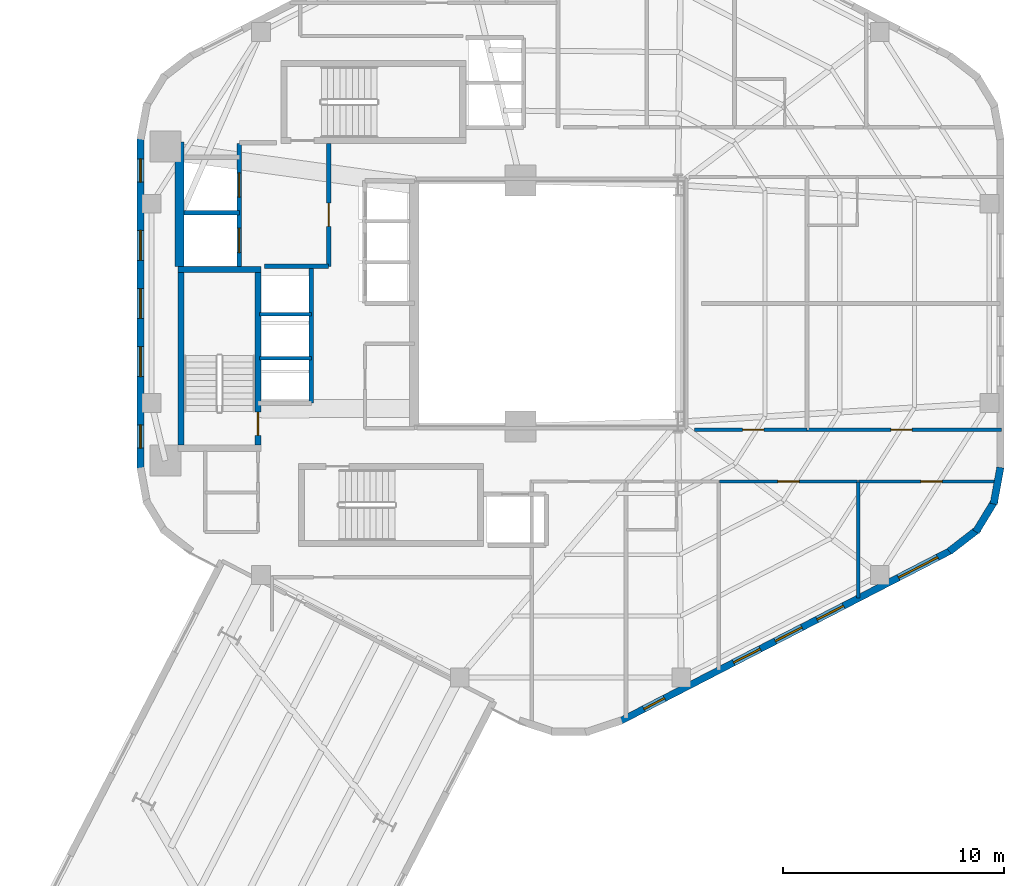
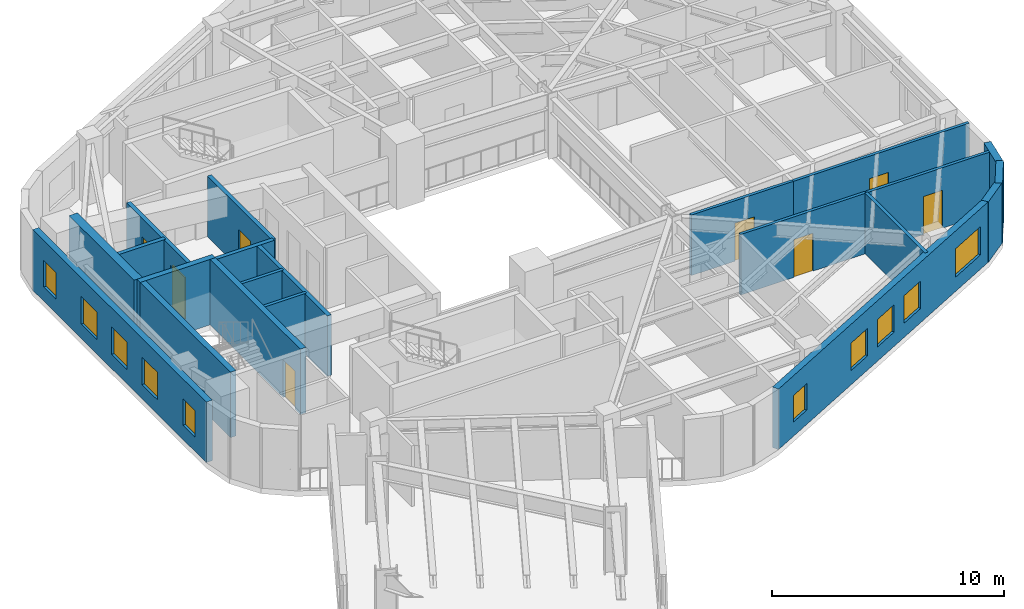
# One storey, part 6 of 10: 21 walls, 10 windows, 8 doors, 18 openings.
"""IFC4 building model written with IfcOpenShell, lengths in metres."""

import ifcopenshell
import ifcopenshell.guid

model = None  # the IFC model being written
_history = None  # IfcOwnerHistory: only IFC2X3 demands one
_inside = {}  # id of a spatial element -> (the spatial element, [elements in it])
_under = {}  # id of a project, library or spatial element -> (it, [spatial elements below it])
_declared = {}  # id of a project -> (the project, [libraries it declares])
_typed = {}  # id of a type object -> (the type object, [elements of that type])
_made_of = {}  # id of a material, layer set ... -> (it, [elements and type objects made of it])


def new_model(schema):
    """Start an empty IFC model of exactly this schema.

    Asked for "IFC4X3", IfcOpenShell would pick the latest addendum, in which some entities
    have other attributes; the version numbers below select the first issue.
    IFC2X3 requires an IfcOwnerHistory on every rooted entity: one is made here for all.
    """
    global model, _history
    if schema == "IFC4X3":
        model = ifcopenshell.file(schema_version=(4, 3, 0, 0))
    else:
        model = ifcopenshell.file(schema=schema)
    _inside.clear()
    _under.clear()
    _declared.clear()
    _typed.clear()
    _made_of.clear()
    _history = None
    if model.schema == "IFC2X3":
        org = make("IfcOrganization", Name="unknown")
        user = make(
            "IfcPersonAndOrganization",
            ThePerson=make("IfcPerson", FamilyName="unknown"),
            TheOrganization=org,
        )
        app = make(
            "IfcApplication",
            ApplicationDeveloper=org,
            Version="unknown",
            ApplicationFullName="unknown",
            ApplicationIdentifier="unknown",
        )
        _history = make(
            "IfcOwnerHistory",
            OwningUser=user,
            OwningApplication=app,
            ChangeAction="ADDED",
            CreationDate=0,
        )
    return model


def make(cls, **values):
    """One entity of the class cls with the attributes given. An attribute that is None is left unset."""
    return model.create_entity(
        cls, **{name: value for name, value in values.items() if value is not None}
    )


def rooted(cls, **values):
    """An entity with a GlobalId (a new one), such as an element, a storey or a relation."""
    return make(cls, GlobalId=ifcopenshell.guid.new(), OwnerHistory=_history, **values)


def si_unit(unit_type, name, prefix=None):
    """IfcSIUnit, for example si_unit("LENGTHUNIT", "METRE", prefix="MILLI")."""
    return make("IfcSIUnit", UnitType=unit_type, Prefix=prefix, Name=name)


def assignment(units):
    """IfcUnitAssignment: the units of a project."""
    return None if units is None else make("IfcUnitAssignment", Units=units)


def point(xyz):
    """IfcCartesianPoint."""
    return None if xyz is None else make("IfcCartesianPoint", Coordinates=xyz)


def direction(xyz):
    """IfcDirection."""
    return None if xyz is None else make("IfcDirection", DirectionRatios=xyz)


def frame(location, z_axis=None, x_axis=None):
    """IfcAxis2Placement3D, a coordinate frame: its origin and axes. An axis left out is left unset."""
    return make(
        "IfcAxis2Placement3D",
        Location=point(location),
        Axis=direction(z_axis),
        RefDirection=direction(x_axis),
    )


def frame_2d(location, x_axis=None):
    """IfcAxis2Placement2D, a coordinate frame in the plane: its origin and x axis."""
    return make(
        "IfcAxis2Placement2D", Location=point(location), RefDirection=direction(x_axis)
    )


def origin():
    """The frame at (0, 0, 0) with its axes left unset."""
    return frame((0.0, 0.0, 0.0))


def place(relative_to, where):
    """IfcLocalPlacement: puts the frame where relative to a parent placement (None: the world)."""
    return make(
        "IfcLocalPlacement", PlacementRelTo=relative_to, RelativePlacement=where
    )


def context(
    kind, dimensions, precision=None, world=None, true_north=None, identifier=None
):
    """IfcGeometricRepresentationContext, for example the 3D "Model" context."""
    return make(
        "IfcGeometricRepresentationContext",
        ContextIdentifier=identifier,
        ContextType=kind,
        CoordinateSpaceDimension=dimensions,
        Precision=precision,
        WorldCoordinateSystem=world,
        TrueNorth=true_north,
    )


def subcontext(parent, identifier, kind, view, scale=None):
    """IfcGeometricRepresentationSubContext, for example "Body" below "Model"."""
    return make(
        "IfcGeometricRepresentationSubContext",
        ContextIdentifier=identifier,
        ContextType=kind,
        ParentContext=parent,
        TargetScale=scale,
        TargetView=view,
    )


def project(units=None, contexts=None):
    """IfcProject with its units and contexts."""
    return rooted(
        "IfcProject",
        Name="project",
        RepresentationContexts=contexts,
        UnitsInContext=assignment(units),
    )


def spatial(cls, under=None, at=None, **own):
    """A site, building, storey or space (cls), placed at a placement, below another one or the project."""
    s = rooted(cls, ObjectPlacement=at, **own)
    if under is not None:
        _under.setdefault(under.id(), (under, []))[1].append(s)
    return s


def profile(cls, at=None, kind="AREA", **sizes):
    """A parametric profile (cls). Its sizes go by their IFC names, for example OverallWidth=200.0."""
    return make(cls, ProfileType=kind, Position=at, **sizes)


def rectangle(**sizes):
    """IfcRectangleProfileDef."""
    return profile("IfcRectangleProfileDef", **sizes)


def extrude(swept, where, along, depth):
    """IfcExtrudedAreaSolid: the profile swept, set in the frame where, extruded along a direction by depth."""
    return make(
        "IfcExtrudedAreaSolid",
        SweptArea=swept,
        Position=where,
        ExtrudedDirection=direction(along),
        Depth=depth,
    )


def shape(context_of_items, identifier, shape_type, items):
    """IfcShapeRepresentation: the items that make up one representation, for example the "Body"."""
    return make(
        "IfcShapeRepresentation",
        ContextOfItems=context_of_items,
        RepresentationIdentifier=identifier,
        RepresentationType=shape_type,
        Items=items,
    )


def material(Name=None, Category=None):
    """IfcMaterial."""
    return make("IfcMaterial", Name=Name, Category=Category)


def layer(
    of_material, thickness, ventilated=None, Name=None, Category=None, Priority=None
):
    """IfcMaterialLayer: one layer of a wall or slab, of a material (None: an air gap)."""
    return make(
        "IfcMaterialLayer",
        Material=of_material,
        LayerThickness=thickness,
        IsVentilated=ventilated,
        Name=Name,
        Category=Category,
        Priority=Priority,
    )


def layer_set(layers, Name=None):
    """IfcMaterialLayerSet."""
    return make("IfcMaterialLayerSet", MaterialLayers=layers, LayerSetName=Name)


def made_of(thing, what):
    """Note that an element or type object is made of a material, layer set ...; save() writes the relation."""
    if what is not None:
        _made_of.setdefault(what.id(), (what, []))[1].append(thing)
    return thing


def type_object(cls, material=None, **own):
    """A type object (cls), such as IfcWallType, which elements share."""
    return made_of(rooted(cls, **own), material)


def element(
    cls,
    number,
    at=None,
    inside=None,
    cuts=None,
    type_object=None,
    material=None,
    context=None,
    identifier="Body",
    shape_type=None,
    held_by="IfcProductDefinitionShape",
    body=None,
    shapes=None,
    **own,
):
    """One element of the class cls, such as IfcWall. Its Tag is "e" and its number.

    at: its placement. inside: the storey or other place that contains it. cuts: it is an
    opening in that element (IfcRelVoidsElement). A single representation is given by context,
    identifier, shape_type and body (its items); several are given by shapes. held_by: the class
    of the entity that holds the representations. save() writes the other relations.
    """
    e = rooted(cls, Tag="e%d" % number, ObjectPlacement=at, **own)
    if body is not None:
        shapes = [shape(context, identifier, shape_type, body)]
    if shapes is not None:
        e.Representation = make(held_by, Representations=shapes)
    if inside is not None:
        _inside.setdefault(inside.id(), (inside, []))[1].append(e)
    if cuts is not None:
        rooted(
            "IfcRelVoidsElement", RelatingBuildingElement=cuts, RelatedOpeningElement=e
        )
    if type_object is not None:
        _typed.setdefault(type_object.id(), (type_object, []))[1].append(e)
    return made_of(e, material)


def fill(opening, filler):
    """IfcRelFillsElement: the door or window that sits in an opening."""
    return rooted(
        "IfcRelFillsElement",
        RelatingOpeningElement=opening,
        RelatedBuildingElement=filler,
    )


def aggregate(whole, parts):
    """IfcRelAggregates: a whole, such as a stair, and the parts it consists of."""
    return rooted("IfcRelAggregates", RelatingObject=whole, RelatedObjects=parts)


def save(model, path):
    """Write the relations noted so far, then the file.

    IfcRelAggregates (storeys below a building ...), IfcRelContainedInSpatialStructure (elements
    in a storey), IfcRelDefinesByType, IfcRelAssociatesMaterial and IfcRelDeclares: one each for
    every whole, place, type object, material and project.
    """
    for whole, parts in _under.values():
        aggregate(whole, parts)
    for where, things in _inside.values():
        rooted(
            "IfcRelContainedInSpatialStructure",
            RelatedElements=things,
            RelatingStructure=where,
        )
    for kind, things in _typed.values():
        rooted("IfcRelDefinesByType", RelatedObjects=things, RelatingType=kind)
    for what, things in _made_of.values():
        rooted("IfcRelAssociatesMaterial", RelatedObjects=things, RelatingMaterial=what)
    for by, libraries in _declared.values():
        rooted("IfcRelDeclares", RelatingContext=by, RelatedDefinitions=libraries)
    model.write(path)


model = new_model("IFC4")

# Units and contexts
model_context = context("Model", 3, precision=1e-05, world=origin(), true_north=direction((0.0, 1.0)))
body_context = subcontext(model_context, "Body", "Model", "MODEL_VIEW")
ifc_project = project(units=[si_unit("LENGTHUNIT", "METRE"), si_unit("AREAUNIT", "SQUARE_METRE"), si_unit("VOLUMEUNIT", "CUBIC_METRE"), si_unit("PLANEANGLEUNIT", "RADIAN"), si_unit("MASSUNIT", "GRAM", prefix="KILO"), si_unit("THERMODYNAMICTEMPERATUREUNIT", "KELVIN"), si_unit("POWERUNIT", "WATT")], contexts=[model_context])

# Site, building, storey
site_placement = place(None, origin())
site = spatial("IfcSite", under=ifc_project, at=site_placement, CompositionType="ELEMENT")
building_placement = place(site_placement, origin())
building = spatial("IfcBuilding", under=site, at=building_placement, Name="Skarre Station Tower", CompositionType="ELEMENT")
storey_placement = place(building_placement, frame((0.0, 0.0, 180.89990234375)))
storey = spatial("IfcBuildingStorey", under=building, at=storey_placement, Name="L49", CompositionType="ELEMENT", Elevation=180.89990234375)

# Wall, opening, door
ifc_material_1 = material(Name="Acoustic Steel-Stud Gypsum Partition", Category="steel")
ifc_layer_1 = layer(ifc_material_1, 0.14990234375, Name="Acoustic Steel-Stud Gypsum Partition")
ifc_layer_set_1 = layer_set([ifc_layer_1], Name="Acoustic Steel-Stud Gypsum Partition")
wall_type_1 = type_object("IfcWallType", Name="Fire-Rated Corridor Acoustic Partition 150", PredefinedType="PARTITIONING", material=ifc_layer_set_1)
wall_1_placement = place(storey_placement, frame((45.281005859375, 18.2900390625, 0.0), z_axis=(0.0, 0.0, 1.0), x_axis=(-1.0, 0.0, 0.0)))
wall_1 = element("IfcWall", 1, at=wall_1_placement, inside=storey, type_object=wall_type_1, Name="L49 Interior Partition WL-PT-L49-EWS1-CW", PredefinedType="PARTITIONING", context=body_context, shape_type="SweptSolid", body=[
    extrude(rectangle(XDim=5.0810546875, YDim=0.14990234375, at=frame_2d((2.54052734375, 0.0))), origin(), (0.0, 0.0, 1.0), 3.190185546875),
])
opening_1_placement = place(wall_1_placement, frame((1.93994140625, 0.0, 0.0)))
opening_1 = element("IfcOpeningElement", 2, at=opening_1_placement, cuts=wall_1, Name="Opening DR-FD60", PredefinedType="OPENING", context=body_context, shape_type="SweptSolid", body=[
    extrude(rectangle(XDim=0.9599609375, YDim=2.0, at=frame_2d((0.47998046875, 1.0))), frame((0.0, 0.0849609375, 0.0), z_axis=(0.0, -1.0, 0.0), x_axis=(1.0, 0.0, 0.0)), (0.0, 0.0, 1.0), 0.169921875),
])
ifc_material_2 = material(Name="Nordic White-Oak Veneer Solid-Core Fire Leaf", Category="wood")
door_type_1 = type_object("IfcDoorType", Name="Corridor Suite Entry Fire Door FD60 960x2150", OperationType="SINGLE_SWING_LEFT", PredefinedType="DOOR", material=ifc_material_2)
door_1_placement = place(opening_1_placement, origin())
door_1 = element("IfcDoor", 3, at=door_1_placement, inside=storey, type_object=door_type_1, Name="L49 EWS1 Entry Door", OperationType="SINGLE_SWING_LEFT", OverallHeight=2.0, OverallWidth=0.9599609375, PredefinedType="DOOR", context=body_context, shape_type="SweptSolid", body=[
    extrude(rectangle(XDim=0.9599609375, YDim=2.0, at=frame_2d((0.47998046875, 1.0))), frame((0.0, 0.02490234375, 0.0), z_axis=(0.0, -1.0, 0.0), x_axis=(1.0, 0.0, 0.0)), (0.0, 0.0, 1.0), 0.050048828125),
])
fill(opening_1, door_1)

wall_2_placement = place(storey_placement, frame((54.06201171875, 18.2900390625, 0.0), z_axis=(0.0, 0.0, 1.0), x_axis=(-1.0, 0.0, 0.0)))
wall_2 = element("IfcWall", 4, at=wall_2_placement, inside=storey, type_object=wall_type_1, Name="L49 Interior Partition WL-PT-L49-EWS2-CW", PredefinedType="PARTITIONING", context=body_context, shape_type="SweptSolid", body=[
    extrude(rectangle(XDim=8.77099609375, YDim=0.14990234375, at=frame_2d((4.385498046875, 0.0))), origin(), (0.0, 0.0, 1.0), 3.190185546875),
])
opening_2_placement = place(wall_2_placement, frame((4.02490234375, 0.0, 0.0)))
opening_2 = element("IfcOpeningElement", 5, at=opening_2_placement, cuts=wall_2, Name="Opening DR-FD60", PredefinedType="OPENING", context=body_context, shape_type="SweptSolid", body=[
    extrude(rectangle(XDim=0.9599609375, YDim=2.0, at=frame_2d((0.47998046875, 1.0))), frame((0.0, 0.0849609375, 0.0), z_axis=(0.0, -1.0, 0.0), x_axis=(1.0, 0.0, 0.0)), (0.0, 0.0, 1.0), 0.169921875),
])
door_2_placement = place(opening_2_placement, origin())
door_2 = element("IfcDoor", 6, at=door_2_placement, inside=storey, type_object=door_type_1, Name="L49 EWS2 Entry Door", OperationType="SINGLE_SWING_LEFT", OverallHeight=2.0, OverallWidth=0.9599609375, PredefinedType="DOOR", context=body_context, shape_type="SweptSolid", body=[
    extrude(rectangle(XDim=0.9599609375, YDim=2.0, at=frame_2d((0.47998046875, 1.0))), frame((0.0, 0.02490234375, 0.0), z_axis=(0.0, -1.0, 0.0), x_axis=(1.0, 0.0, 0.0)), (0.0, 0.0, 1.0), 0.050048828125),
])
fill(opening_2, door_2)

wall_3_placement = place(storey_placement, frame((41.322998046875, 15.9599609375, 0.0), z_axis=(0.0, 0.0, 1.0), x_axis=(1.0, 0.0, 0.0)))
wall_3 = element("IfcWall", 7, at=wall_3_placement, inside=storey, type_object=wall_type_1, Name="L49 Interior Partition WL-PT-L49-SW3-CW", PredefinedType="PARTITIONING", context=body_context, shape_type="SweptSolid", body=[
    extrude(rectangle(XDim=6.2529296875, YDim=0.14990234375, at=frame_2d((3.12646484375, 0.0))), origin(), (0.0, 0.0, 1.0), 3.190185546875),
])
opening_3_placement = place(wall_3_placement, frame((2.64697265625, 0.0, 0.0)))
opening_3 = element("IfcOpeningElement", 8, at=opening_3_placement, cuts=wall_3, Name="Opening DR-FD60", PredefinedType="OPENING", context=body_context, shape_type="SweptSolid", body=[
    extrude(rectangle(XDim=0.9599609375, YDim=2.0, at=frame_2d((0.47998046875, 1.0))), frame((0.0, 0.0849609375, 0.0), z_axis=(0.0, -1.0, 0.0), x_axis=(1.0, 0.0, 0.0)), (0.0, 0.0, 1.0), 0.169921875),
])
door_3_placement = place(opening_3_placement, origin())
door_3 = element("IfcDoor", 9, at=door_3_placement, inside=storey, type_object=door_type_1, Name="L49 SW3 Entry Door", OperationType="SINGLE_SWING_LEFT", OverallHeight=2.0, OverallWidth=0.9599609375, PredefinedType="DOOR", context=body_context, shape_type="SweptSolid", body=[
    extrude(rectangle(XDim=0.9599609375, YDim=2.0, at=frame_2d((0.47998046875, 1.0))), frame((0.0, 0.02490234375, 0.0), z_axis=(0.0, -1.0, 0.0), x_axis=(1.0, 0.0, 0.0)), (0.0, 0.0, 1.0), 0.050048828125),
])
fill(opening_3, door_3)

wall_4_placement = place(storey_placement, frame((47.612060546875, 15.9599609375, 0.0), z_axis=(0.0, 0.0, 1.0), x_axis=(1.0, 0.0, 0.0)))
wall_4 = element("IfcWall", 10, at=wall_4_placement, inside=storey, type_object=wall_type_1, Name="L49 Interior Partition WL-PT-L49-SW4-CW", PredefinedType="PARTITIONING", context=body_context, shape_type="SweptSolid", body=[
    extrude(rectangle(XDim=6.450927734375, YDim=0.14990234375, at=frame_2d((3.2255859375, 0.0))), origin(), (0.0, 0.0, 1.0), 3.190185546875),
])
opening_4_placement = place(wall_4_placement, frame((2.81396484375, 0.0, 0.0)))
opening_4 = element("IfcOpeningElement", 11, at=opening_4_placement, cuts=wall_4, Name="Opening DR-FD60", PredefinedType="OPENING", context=body_context, shape_type="SweptSolid", body=[
    extrude(rectangle(XDim=0.9599609375, YDim=2.0, at=frame_2d((0.47998046875, 1.0))), frame((0.0, 0.0849609375, 0.0), z_axis=(0.0, -1.0, 0.0), x_axis=(1.0, 0.0, 0.0)), (0.0, 0.0, 1.0), 0.169921875),
])
door_4_placement = place(opening_4_placement, origin())
door_4 = element("IfcDoor", 12, at=door_4_placement, inside=storey, type_object=door_type_1, Name="L49 SW4 Entry Door", OperationType="SINGLE_SWING_LEFT", OverallHeight=2.0, OverallWidth=0.9599609375, PredefinedType="DOOR", context=body_context, shape_type="SweptSolid", body=[
    extrude(rectangle(XDim=0.9599609375, YDim=2.0, at=frame_2d((0.47998046875, 1.0))), frame((0.0, 0.02490234375, 0.0), z_axis=(0.0, -1.0, 0.0), x_axis=(1.0, 0.0, 0.0)), (0.0, 0.0, 1.0), 0.050048828125),
])
fill(opening_4, door_4)

# Walls
ifc_material_3 = material(Name="Precast concrete C45/55", Category="concrete")
ifc_layer_2 = layer(ifc_material_3, 0.330078125, Name="Precast concrete C45/55")
ifc_layer_set_2 = layer_set([ifc_layer_2], Name="Precast concrete C45/55")
wall_type_2 = type_object("IfcWallType", Name="Nordic Rounded Corner Precast Wall 330", PredefinedType="STANDARD", material=ifc_layer_set_2)
wall_5_placement = place(storey_placement, frame((54.02099609375, 16.592041015625, 0.0), z_axis=(0.0, 0.0, 1.0), x_axis=(-0.180717642671, -0.983535019014, 0.0)))
element("IfcWall", 13, at=wall_5_placement, inside=storey, type_object=wall_type_2, Name="L49 Rounded Corner Precast Wall F5-1", PredefinedType="STANDARD", context=body_context, shape_type="SweptSolid", body=[
    extrude(rectangle(XDim=1.676513671875, YDim=0.330078125, at=frame_2d((0.83837890625, 0.0))), origin(), (0.0, 0.0, 1.0), 3.190185546875),
])
wall_6_placement = place(storey_placement, frame((53.784912109375, 15.117919921875, 0.0), z_axis=(0.0, 0.0, 1.0), x_axis=(-0.520219286058, -0.85403272444, 0.0)))
element("IfcWall", 14, at=wall_6_placement, inside=storey, type_object=wall_type_2, Name="L49 Rounded Corner Precast Wall F5-2", PredefinedType="STANDARD", context=body_context, shape_type="SweptSolid", body=[
    extrude(rectangle(XDim=1.677734375, YDim=0.330078125, at=frame_2d((0.8388671875, 0.0))), origin(), (0.0, 0.0, 1.0), 3.190185546875),
])
wall_7_placement = place(storey_placement, frame((53.0380859375, 13.824951171875, 0.0), z_axis=(0.0, 0.0, 1.0), x_axis=(-0.791464279355, -0.611215423976, 0.0)))
element("IfcWall", 15, at=wall_7_placement, inside=storey, type_object=wall_type_2, Name="L49 Rounded Corner Precast Wall F5-3", PredefinedType="STANDARD", context=body_context, shape_type="SweptSolid", body=[
    extrude(rectangle(XDim=1.6767578125, YDim=0.330078125, at=frame_2d((0.83837890625, 0.0))), origin(), (0.0, 0.0, 1.0), 3.190185546875),
])

# Wall, openings, windows
ifc_layer_3 = layer(ifc_material_3, 0.31005859375, Name="Precast concrete C45/55")
ifc_layer_set_3 = layer_set([ifc_layer_3], Name="Precast concrete C45/55")
wall_type_3 = type_object("IfcWallType", Name="Nordic Upper-Zone Precast Facet Wall 310", PredefinedType="STANDARD", material=ifc_layer_set_3)
wall_8_placement = place(storey_placement, frame((15.18310546875, 16.498046875, 0.0), z_axis=(0.0, 0.0, 1.0), x_axis=(0.0, 1.0, 0.0)))
wall_8 = element("IfcWall", 16, at=wall_8_placement, inside=storey, type_object=wall_type_3, Name="L49 Facet 2 Nordic Precast Masonry Wall", PredefinedType="STANDARD", context=body_context, shape_type="SweptSolid", body=[
    extrude(rectangle(XDim=15.00390625, YDim=0.31005859375, at=frame_2d((7.501953125, 0.0))), origin(), (0.0, 0.0, 1.0), 3.190185546875),
])
opening_5_placement = place(wall_8_placement, frame((0.968017578125, 0.0, 0.75)))
opening_5 = element("IfcOpeningElement", 17, at=opening_5_placement, cuts=wall_8, Name="Opening WN-SLT", PredefinedType="OPENING", context=body_context, shape_type="SweptSolid", body=[
    extrude(rectangle(XDim=1.050048828125, YDim=1.39990234375, at=frame_2d((0.52490234375, 0.699951171875))), frame((0.0, 0.1650390625, 0.0), z_axis=(0.0, -1.0, 0.0), x_axis=(1.0, 0.0, 0.0)), (0.0, 0.0, 1.0), 0.330078125),
])
opening_6_placement = place(wall_8_placement, frame((4.202880859375, 0.0, 0.75)))
opening_6 = element("IfcOpeningElement", 18, at=opening_6_placement, cuts=wall_8, Name="Opening WN-Z3B", PredefinedType="OPENING", context=body_context, shape_type="SweptSolid", body=[
    extrude(rectangle(XDim=1.35009765625, YDim=1.449951171875, at=frame_2d((0.675048828125, 0.72509765625))), frame((0.0, 0.1650390625, 0.0), z_axis=(0.0, -1.0, 0.0), x_axis=(1.0, 0.0, 0.0)), (0.0, 0.0, 1.0), 0.330078125),
])
opening_7_placement = place(wall_8_placement, frame((6.826904296875, 0.0, 0.75)))
opening_7 = element("IfcOpeningElement", 19, at=opening_7_placement, cuts=wall_8, Name="Opening WN-Z3B", PredefinedType="OPENING", context=body_context, shape_type="SweptSolid", body=[
    extrude(rectangle(XDim=1.35009765625, YDim=1.449951171875, at=frame_2d((0.675048828125, 0.72509765625))), frame((0.0, 0.1650390625, 0.0), z_axis=(0.0, -1.0, 0.0), x_axis=(1.0, 0.0, 0.0)), (0.0, 0.0, 1.0), 0.330078125),
])
opening_8_placement = place(wall_8_placement, frame((9.450927734375, 0.0, 0.75)))
opening_8 = element("IfcOpeningElement", 20, at=opening_8_placement, cuts=wall_8, Name="Opening WN-Z3B", PredefinedType="OPENING", context=body_context, shape_type="SweptSolid", body=[
    extrude(rectangle(XDim=1.35009765625, YDim=1.449951171875, at=frame_2d((0.675048828125, 0.72509765625))), frame((0.0, 0.1650390625, 0.0), z_axis=(0.0, -1.0, 0.0), x_axis=(1.0, 0.0, 0.0)), (0.0, 0.0, 1.0), 0.330078125),
])
opening_9_placement = place(wall_8_placement, frame((12.986083984375, 0.0, 0.75)))
opening_9 = element("IfcOpeningElement", 21, at=opening_9_placement, cuts=wall_8, Name="Opening WN-SLT", PredefinedType="OPENING", context=body_context, shape_type="SweptSolid", body=[
    extrude(rectangle(XDim=1.050048828125, YDim=1.39990234375, at=frame_2d((0.52490234375, 0.699951171875))), frame((0.0, 0.1650390625, 0.0), z_axis=(0.0, -1.0, 0.0), x_axis=(1.0, 0.0, 0.0)), (0.0, 0.0, 1.0), 0.330078125),
])
ifc_material_4 = material(Name="Low-Iron Triple Glazing with Bronze Anodized Frame", Category="glass")
window_type_1 = type_object("IfcWindowType", Name="Nordic Corner Slot Window 1050x1400", PartitioningType="SINGLE_PANEL", PredefinedType="WINDOW", material=ifc_material_4)
window_1_placement = place(opening_5_placement, origin())
window_1 = element("IfcWindow", 22, at=window_1_placement, inside=storey, type_object=window_type_1, Name="L49 Facade Window WL-FAC-L49-F2-1", OverallHeight=1.39990234375, OverallWidth=1.050048828125, PartitioningType="SINGLE_PANEL", PredefinedType="WINDOW", context=body_context, shape_type="SweptSolid", body=[
    extrude(rectangle(XDim=1.050048828125, YDim=1.39990234375, at=frame_2d((0.52490234375, 0.699951171875))), frame((0.0, 0.030029296875, 0.0), z_axis=(0.0, -1.0, 0.0), x_axis=(1.0, 0.0, 0.0)), (0.0, 0.0, 1.0), 0.06005859375),
])
fill(opening_5, window_1)
window_2_placement = place(opening_9_placement, origin())
window_2 = element("IfcWindow", 23, at=window_2_placement, inside=storey, type_object=window_type_1, Name="L49 Facade Window WL-FAC-L49-F2-5", OverallHeight=1.39990234375, OverallWidth=1.050048828125, PartitioningType="SINGLE_PANEL", PredefinedType="WINDOW", context=body_context, shape_type="SweptSolid", body=[
    extrude(rectangle(XDim=1.050048828125, YDim=1.39990234375, at=frame_2d((0.52490234375, 0.699951171875))), frame((0.0, 0.030029296875, 0.0), z_axis=(0.0, -1.0, 0.0), x_axis=(1.0, 0.0, 0.0)), (0.0, 0.0, 1.0), 0.06005859375),
])
fill(opening_9, window_2)
window_type_2 = type_object("IfcWindowType", Name="Nordic Hospitality Narrow Window 1350x1450", PartitioningType="SINGLE_PANEL", PredefinedType="WINDOW", material=ifc_material_4)
window_3_placement = place(opening_6_placement, origin())
window_3 = element("IfcWindow", 24, at=window_3_placement, inside=storey, type_object=window_type_2, Name="L49 Facade Window WL-FAC-L49-F2-2", OverallHeight=1.449951171875, OverallWidth=1.35009765625, PartitioningType="SINGLE_PANEL", PredefinedType="WINDOW", context=body_context, shape_type="SweptSolid", body=[
    extrude(rectangle(XDim=1.35009765625, YDim=1.449951171875, at=frame_2d((0.675048828125, 0.72509765625))), frame((0.0, 0.030029296875, 0.0), z_axis=(0.0, -1.0, 0.0), x_axis=(1.0, 0.0, 0.0)), (0.0, 0.0, 1.0), 0.06005859375),
])
fill(opening_6, window_3)
window_4_placement = place(opening_7_placement, origin())
window_4 = element("IfcWindow", 25, at=window_4_placement, inside=storey, type_object=window_type_2, Name="L49 Facade Window WL-FAC-L49-F2-3", OverallHeight=1.449951171875, OverallWidth=1.35009765625, PartitioningType="SINGLE_PANEL", PredefinedType="WINDOW", context=body_context, shape_type="SweptSolid", body=[
    extrude(rectangle(XDim=1.35009765625, YDim=1.449951171875, at=frame_2d((0.675048828125, 0.72509765625))), frame((0.0, 0.030029296875, 0.0), z_axis=(0.0, -1.0, 0.0), x_axis=(1.0, 0.0, 0.0)), (0.0, 0.0, 1.0), 0.06005859375),
])
fill(opening_7, window_4)
window_5_placement = place(opening_8_placement, origin())
window_5 = element("IfcWindow", 26, at=window_5_placement, inside=storey, type_object=window_type_2, Name="L49 Facade Window WL-FAC-L49-F2-4", OverallHeight=1.449951171875, OverallWidth=1.35009765625, PartitioningType="SINGLE_PANEL", PredefinedType="WINDOW", context=body_context, shape_type="SweptSolid", body=[
    extrude(rectangle(XDim=1.35009765625, YDim=1.449951171875, at=frame_2d((0.675048828125, 0.72509765625))), frame((0.0, 0.030029296875, 0.0), z_axis=(0.0, -1.0, 0.0), x_axis=(1.0, 0.0, 0.0)), (0.0, 0.0, 1.0), 0.06005859375),
])
fill(opening_8, window_5)

wall_9_placement = place(storey_placement, frame((51.7919921875, 12.846923828125, 0.0), z_axis=(0.0, 0.0, 1.0), x_axis=(-0.888626188278, -0.458632202867, 0.0)))
wall_9 = element("IfcWall", 27, at=wall_9_placement, inside=storey, type_object=wall_type_3, Name="L49 Facet 4 Nordic Precast Masonry Wall", PredefinedType="STANDARD", context=body_context, shape_type="SweptSolid", body=[
    extrude(rectangle(XDim=16.828369140625, YDim=0.31005859375, at=frame_2d((8.4140625, 0.0))), origin(), (0.0, 0.0, 1.0), 3.190185546875),
])
opening_10_placement = place(wall_9_placement, frame((0.675048828125, 0.0, 0.75)))
opening_10 = element("IfcOpeningElement", 28, at=opening_10_placement, cuts=wall_9, Name="Opening WN-Z3A", PredefinedType="OPENING", context=body_context, shape_type="SweptSolid", body=[
    extrude(rectangle(XDim=2.0, YDim=1.5, at=frame_2d((1.0, 0.75))), frame((0.0, 0.1650390625, 0.0), z_axis=(0.0, -1.0, 0.0), x_axis=(1.0, 0.0, 0.0)), (0.0, 0.0, 1.0), 0.330078125),
])
opening_11_placement = place(wall_9_placement, frame((5.462890625, 0.0, 0.75)))
opening_11 = element("IfcOpeningElement", 29, at=opening_11_placement, cuts=wall_9, Name="Opening WN-Z3B", PredefinedType="OPENING", context=body_context, shape_type="SweptSolid", body=[
    extrude(rectangle(XDim=1.35009765625, YDim=1.449951171875, at=frame_2d((0.675048828125, 0.72509765625))), frame((0.0, 0.1650390625, 0.0), z_axis=(0.0, -1.0, 0.0), x_axis=(1.0, 0.0, 0.0)), (0.0, 0.0, 1.0), 0.330078125),
])
opening_12_placement = place(wall_9_placement, frame((7.580078125, 0.0, 0.75)))
opening_12 = element("IfcOpeningElement", 30, at=opening_12_placement, cuts=wall_9, Name="Opening WN-Z3B", PredefinedType="OPENING", context=body_context, shape_type="SweptSolid", body=[
    extrude(rectangle(XDim=1.35009765625, YDim=1.449951171875, at=frame_2d((0.675048828125, 0.72509765625))), frame((0.0, 0.1650390625, 0.0), z_axis=(0.0, -1.0, 0.0), x_axis=(1.0, 0.0, 0.0)), (0.0, 0.0, 1.0), 0.330078125),
])
opening_13_placement = place(wall_9_placement, frame((9.697998046875, 0.0, 0.75)))
opening_13 = element("IfcOpeningElement", 31, at=opening_13_placement, cuts=wall_9, Name="Opening WN-Z3B", PredefinedType="OPENING", context=body_context, shape_type="SweptSolid", body=[
    extrude(rectangle(XDim=1.35009765625, YDim=1.449951171875, at=frame_2d((0.675048828125, 0.72509765625))), frame((0.0, 0.1650390625, 0.0), z_axis=(0.0, -1.0, 0.0), x_axis=(1.0, 0.0, 0.0)), (0.0, 0.0, 1.0), 0.330078125),
])
opening_14_placement = place(wall_9_placement, frame((14.56298828125, 0.0, 0.75)))
opening_14 = element("IfcOpeningElement", 32, at=opening_14_placement, cuts=wall_9, Name="Opening WN-SLT", PredefinedType="OPENING", context=body_context, shape_type="SweptSolid", body=[
    extrude(rectangle(XDim=1.050048828125, YDim=1.39990234375, at=frame_2d((0.52490234375, 0.699951171875))), frame((0.0, 0.1650390625, 0.0), z_axis=(0.0, -1.0, 0.0), x_axis=(1.0, 0.0, 0.0)), (0.0, 0.0, 1.0), 0.330078125),
])
window_6_placement = place(opening_14_placement, origin())
window_6 = element("IfcWindow", 33, at=window_6_placement, inside=storey, type_object=window_type_1, Name="L49 Facade Window WL-FAC-L49-F4-5", OverallHeight=1.39990234375, OverallWidth=1.050048828125, PartitioningType="SINGLE_PANEL", PredefinedType="WINDOW", context=body_context, shape_type="SweptSolid", body=[
    extrude(rectangle(XDim=1.050048828125, YDim=1.39990234375, at=frame_2d((0.52490234375, 0.699951171875))), frame((0.0, 0.030029296875, 0.0), z_axis=(0.0, -1.0, 0.0), x_axis=(1.0, 0.0, 0.0)), (0.0, 0.0, 1.0), 0.06005859375),
])
fill(opening_14, window_6)
window_7_placement = place(opening_11_placement, origin())
window_7 = element("IfcWindow", 34, at=window_7_placement, inside=storey, type_object=window_type_2, Name="L49 Facade Window WL-FAC-L49-F4-2", OverallHeight=1.449951171875, OverallWidth=1.35009765625, PartitioningType="SINGLE_PANEL", PredefinedType="WINDOW", context=body_context, shape_type="SweptSolid", body=[
    extrude(rectangle(XDim=1.35009765625, YDim=1.449951171875, at=frame_2d((0.675048828125, 0.72509765625))), frame((0.0, 0.030029296875, 0.0), z_axis=(0.0, -1.0, 0.0), x_axis=(1.0, 0.0, 0.0)), (0.0, 0.0, 1.0), 0.06005859375),
])
fill(opening_11, window_7)
window_8_placement = place(opening_12_placement, origin())
window_8 = element("IfcWindow", 35, at=window_8_placement, inside=storey, type_object=window_type_2, Name="L49 Facade Window WL-FAC-L49-F4-3", OverallHeight=1.449951171875, OverallWidth=1.35009765625, PartitioningType="SINGLE_PANEL", PredefinedType="WINDOW", context=body_context, shape_type="SweptSolid", body=[
    extrude(rectangle(XDim=1.35009765625, YDim=1.449951171875, at=frame_2d((0.675048828125, 0.72509765625))), frame((0.0, 0.030029296875, 0.0), z_axis=(0.0, -1.0, 0.0), x_axis=(1.0, 0.0, 0.0)), (0.0, 0.0, 1.0), 0.06005859375),
])
fill(opening_12, window_8)
window_9_placement = place(opening_13_placement, origin())
window_9 = element("IfcWindow", 36, at=window_9_placement, inside=storey, type_object=window_type_2, Name="L49 Facade Window WL-FAC-L49-F4-4", OverallHeight=1.449951171875, OverallWidth=1.35009765625, PartitioningType="SINGLE_PANEL", PredefinedType="WINDOW", context=body_context, shape_type="SweptSolid", body=[
    extrude(rectangle(XDim=1.35009765625, YDim=1.449951171875, at=frame_2d((0.675048828125, 0.72509765625))), frame((0.0, 0.030029296875, 0.0), z_axis=(0.0, -1.0, 0.0), x_axis=(1.0, 0.0, 0.0)), (0.0, 0.0, 1.0), 0.06005859375),
])
fill(opening_13, window_9)
window_type_3 = type_object("IfcWindowType", Name="Nordic Hospitality Window 2000x1500", PartitioningType="SINGLE_PANEL", PredefinedType="WINDOW", material=ifc_material_4)
window_10_placement = place(opening_10_placement, origin())
window_10 = element("IfcWindow", 37, at=window_10_placement, inside=storey, type_object=window_type_3, Name="L49 Facade Window WL-FAC-L49-F4-1", OverallHeight=1.5, OverallWidth=2.0, PartitioningType="SINGLE_PANEL", PredefinedType="WINDOW", context=body_context, shape_type="SweptSolid", body=[
    extrude(rectangle(XDim=2.0, YDim=1.5, at=frame_2d((1.0, 0.75))), frame((0.0, 0.030029296875, 0.0), z_axis=(0.0, -1.0, 0.0), x_axis=(1.0, 0.0, 0.0)), (0.0, 0.0, 1.0), 0.06005859375),
])
fill(opening_10, window_10)

# Walls
ifc_material_5 = material(Name="Concrete C50/60", Category="concrete")
ifc_layer_4 = layer(ifc_material_5, 0.280029296875, Name="Concrete C50/60")
ifc_layer_set_4 = layer_set([ifc_layer_4], Name="Concrete C50/60")
wall_type_4 = type_object("IfcWallType", Name="RC Core Shear Wall 280", PredefinedType="SHEAR", material=ifc_layer_set_4)
wall_10_placement = place(storey_placement, frame((20.6298828125, 25.5400390625, 0.0), z_axis=(0.0, 0.0, 1.0), x_axis=(-1.0, 0.0, 0.0)))
element("IfcWall", 38, at=wall_10_placement, inside=storey, type_object=wall_type_4, Name="L49 Stair ST-1 North Shear Wall", PredefinedType="SHEAR", context=body_context, shape_type="SweptSolid", body=[
    extrude(rectangle(XDim=3.759765625, YDim=0.280029296875, at=frame_2d((1.8798828125, 0.0))), origin(), (0.0, 0.0, 1.0), 3.4501953125),
])
wall_11_placement = place(storey_placement, frame((17.010009765625, 25.39990234375, 0.0), z_axis=(0.0, 0.0, 1.0), x_axis=(0.0, -1.0, 0.0)))
element("IfcWall", 39, at=wall_11_placement, inside=storey, type_object=wall_type_4, Name="L49 Stair ST-1 West Shear Wall", PredefinedType="SHEAR", context=body_context, shape_type="SweptSolid", body=[
    extrude(rectangle(XDim=7.7998046875, YDim=0.280029296875, at=frame_2d((3.89990234375, 0.0))), origin(), (0.0, 0.0, 1.0), 3.4501953125),
])

# Wall, opening, door
wall_12_placement = place(storey_placement, frame((20.489990234375, 17.60009765625, 0.0), z_axis=(0.0, 0.0, 1.0), x_axis=(0.0, 1.0, 0.0)))
wall_12 = element("IfcWall", 40, at=wall_12_placement, inside=storey, type_object=wall_type_4, Name="L49 Stair ST-1 East Shear Wall", PredefinedType="SHEAR", context=body_context, shape_type="SweptSolid", body=[
    extrude(rectangle(XDim=7.7998046875, YDim=0.280029296875, at=frame_2d((3.89990234375, 0.0))), origin(), (0.0, 0.0, 1.0), 3.4501953125),
])
opening_15_placement = place(wall_12_placement, frame((0.43994140625, 0.0, 0.0)))
opening_15 = element("IfcOpeningElement", 41, at=opening_15_placement, cuts=wall_12, Name="Opening DR-FD90", PredefinedType="OPENING", context=body_context, shape_type="SweptSolid", body=[
    extrude(rectangle(XDim=1.050048828125, YDim=2.0, at=frame_2d((0.52490234375, 1.0))), frame((0.0, 0.14990234375, 0.0), z_axis=(0.0, -1.0, 0.0), x_axis=(1.0, 0.0, 0.0)), (0.0, 0.0, 1.0), 0.300048828125),
])
ifc_material_6 = material(Name="Fire-Rated Insulated Steel Frame & Timber Core Leaf", Category="steel")
door_type_2 = type_object("IfcDoorType", Name="Stair & FSAE Lobby Fire Door FD90 1050x2150", OperationType="SINGLE_SWING_RIGHT", PredefinedType="DOOR", material=ifc_material_6)
door_5_placement = place(opening_15_placement, origin())
door_5 = element("IfcDoor", 42, at=door_5_placement, inside=storey, type_object=door_type_2, Name="L49 Stair ST-1 Exit Door", OperationType="SINGLE_SWING_RIGHT", OverallHeight=2.0, OverallWidth=1.050048828125, PredefinedType="DOOR", context=body_context, shape_type="SweptSolid", body=[
    extrude(rectangle(XDim=1.050048828125, YDim=2.0, at=frame_2d((0.52490234375, 1.0))), frame((0.0, 0.02490234375, 0.0), z_axis=(0.0, -1.0, 0.0), x_axis=(1.0, 0.0, 0.0)), (0.0, 0.0, 1.0), 0.050048828125),
])
fill(opening_15, door_5)

# Wall
ifc_material_7 = material(Name="Concrete C60/75", Category="concrete")
ifc_layer_5 = layer(ifc_material_7, 0.419921875, Name="Concrete C60/75")
ifc_layer_set_5 = layer_set([ifc_layer_5], Name="Concrete C60/75")
wall_type_5 = type_object("IfcWallType", Name="RC Core Shear Wall 420", PredefinedType="SHEAR", material=ifc_layer_set_5)
wall_13_placement = place(storey_placement, frame((16.93994140625, 25.679931640625, 0.0), z_axis=(0.0, 0.0, 1.0), x_axis=(0.0, 1.0, 0.0)))
element("IfcWall", 43, at=wall_13_placement, inside=storey, type_object=wall_type_5, Name="L49 Core West-North Shear Wall", PredefinedType="SHEAR", context=body_context, shape_type="SweptSolid", body=[
    extrude(rectangle(XDim=5.6201171875, YDim=0.419921875, at=frame_2d((2.81005859375, 0.0))), origin(), (0.0, 0.0, 1.0), 3.4501953125),
])

# Wall, openings, doors
ifc_material_8 = material(Name="Gypsum Concrete Shaft Assembly C30/37", Category="concrete")
ifc_layer_6 = layer(ifc_material_8, 0.199951171875, Name="Gypsum Concrete Shaft Assembly C30/37")
ifc_layer_set_6 = layer_set([ifc_layer_6], Name="Gypsum Concrete Shaft Assembly C30/37")
wall_type_6 = type_object("IfcWallType", Name="Shaft & Core Fire Partition 200", PredefinedType="PARTITIONING", material=ifc_layer_set_6)
wall_14_placement = place(storey_placement, frame((19.64990234375, 25.679931640625, 0.0), z_axis=(0.0, 0.0, 1.0), x_axis=(0.0, 1.0, 0.0)))
wall_14 = element("IfcWall", 44, at=wall_14_placement, inside=storey, type_object=wall_type_6, Name="L49 Interior Partition WL-PT-L49-FSAE-W", PredefinedType="PARTITIONING", context=body_context, shape_type="SweptSolid", body=[
    extrude(rectangle(XDim=5.5400390625, YDim=0.199951171875, at=frame_2d((2.77001953125, 0.0))), origin(), (0.0, 0.0, 1.0), 3.190185546875),
])
opening_16_placement = place(wall_14_placement, frame((0.6201171875, 0.0, 0.0)))
opening_16 = element("IfcOpeningElement", 45, at=opening_16_placement, cuts=wall_14, Name="Opening LD-FF1", PredefinedType="OPENING", context=body_context, shape_type="SweptSolid", body=[
    extrude(rectangle(XDim=1.10009765625, YDim=2.199951171875, at=frame_2d((0.550048828125, 1.10009765625))), frame((0.0, 0.10986328125, 0.0), z_axis=(0.0, -1.0, 0.0), x_axis=(1.0, 0.0, 0.0)), (0.0, 0.0, 1.0), 0.219970703125),
])
opening_17_placement = place(wall_14_placement, frame((3.1201171875, 0.0, 0.0)))
opening_17 = element("IfcOpeningElement", 46, at=opening_17_placement, cuts=wall_14, Name="Opening LD-FF2", PredefinedType="OPENING", context=body_context, shape_type="SweptSolid", body=[
    extrude(rectangle(XDim=1.10009765625, YDim=2.199951171875, at=frame_2d((0.550048828125, 1.10009765625))), frame((0.0, 0.10986328125, 0.0), z_axis=(0.0, -1.0, 0.0), x_axis=(1.0, 0.0, 0.0)), (0.0, 0.0, 1.0), 0.219970703125),
])
ifc_material_9 = material(Name="Fire-Rated Stainless Steel Grade 316L Sliding Leaves", Category="steel")
door_type_3 = type_object("IfcDoorType", Name="Fire Service Access Elevator Sliding Landing Door 1100x2200", OperationType="SLIDING_TO_LEFT", PredefinedType="DOOR", material=ifc_material_9)
door_6_placement = place(opening_16_placement, origin())
door_6 = element("IfcDoor", 47, at=door_6_placement, inside=storey, type_object=door_type_3, Name="L49 Firefighting Lift LF-FF1 Landing Door", OperationType="SLIDING_TO_LEFT", OverallHeight=2.199951171875, OverallWidth=1.10009765625, PredefinedType="DOOR", context=body_context, shape_type="SweptSolid", body=[
    extrude(rectangle(XDim=1.10009765625, YDim=2.199951171875, at=frame_2d((0.550048828125, 1.10009765625))), frame((0.0, 0.02490234375, 0.0), z_axis=(0.0, -1.0, 0.0), x_axis=(1.0, 0.0, 0.0)), (0.0, 0.0, 1.0), 0.050048828125),
])
fill(opening_16, door_6)
door_7_placement = place(opening_17_placement, origin())
door_7 = element("IfcDoor", 48, at=door_7_placement, inside=storey, type_object=door_type_3, Name="L49 Firefighting Lift LF-FF2 Landing Door", OperationType="SLIDING_TO_LEFT", OverallHeight=2.199951171875, OverallWidth=1.10009765625, PredefinedType="DOOR", context=body_context, shape_type="SweptSolid", body=[
    extrude(rectangle(XDim=1.10009765625, YDim=2.199951171875, at=frame_2d((0.550048828125, 1.10009765625))), frame((0.0, 0.02490234375, 0.0), z_axis=(0.0, -1.0, 0.0), x_axis=(1.0, 0.0, 0.0)), (0.0, 0.0, 1.0), 0.050048828125),
])
fill(opening_17, door_7)

# Wall
wall_15_placement = place(storey_placement, frame((20.79296875, 25.679931640625, 0.0), z_axis=(0.0, 0.0, 1.0), x_axis=(1.0, 0.0, 0.0)))
element("IfcWall", 49, at=wall_15_placement, inside=storey, type_object=wall_type_6, Name="L49 Interior Partition WL-PT-L49-FSAE-S", PredefinedType="PARTITIONING", context=body_context, shape_type="SweptSolid", body=[
    extrude(rectangle(XDim=2.886962890625, YDim=0.199951171875, at=frame_2d((1.443359375, 0.0))), origin(), (0.0, 0.0, 1.0), 3.190185546875),
])

# Wall, opening, door
wall_16_placement = place(storey_placement, frame((23.679931640625, 25.679931640625, 0.0), z_axis=(0.0, 0.0, 1.0), x_axis=(0.0, 1.0, 0.0)))
wall_16 = element("IfcWall", 50, at=wall_16_placement, inside=storey, type_object=wall_type_6, Name="L49 Interior Partition WL-PT-L49-FSAE-E", PredefinedType="PARTITIONING", context=body_context, shape_type="SweptSolid", body=[
    extrude(rectangle(XDim=5.5400390625, YDim=0.199951171875, at=frame_2d((2.77001953125, 0.0))), origin(), (0.0, 0.0, 1.0), 3.190185546875),
])
opening_18_placement = place(wall_16_placement, frame((1.800048828125, 0.0, 0.0)))
opening_18 = element("IfcOpeningElement", 51, at=opening_18_placement, cuts=wall_16, Name="Opening DR-FD90", PredefinedType="OPENING", context=body_context, shape_type="SweptSolid", body=[
    extrude(rectangle(XDim=1.050048828125, YDim=2.0, at=frame_2d((0.52490234375, 1.0))), frame((0.0, 0.10986328125, 0.0), z_axis=(0.0, -1.0, 0.0), x_axis=(1.0, 0.0, 0.0)), (0.0, 0.0, 1.0), 0.219970703125),
])
door_8_placement = place(opening_18_placement, origin())
door_8 = element("IfcDoor", 52, at=door_8_placement, inside=storey, type_object=door_type_2, Name="L49 FSAE Lobby Fire Door", OperationType="SINGLE_SWING_RIGHT", OverallHeight=2.0, OverallWidth=1.050048828125, PredefinedType="DOOR", context=body_context, shape_type="SweptSolid", body=[
    extrude(rectangle(XDim=1.050048828125, YDim=2.0, at=frame_2d((0.52490234375, 1.0))), frame((0.0, 0.02490234375, 0.0), z_axis=(0.0, -1.0, 0.0), x_axis=(1.0, 0.0, 0.0)), (0.0, 0.0, 1.0), 0.050048828125),
])
fill(opening_18, door_8)

# Walls
wall_17_placement = place(storey_placement, frame((17.14990234375, 28.10009765625, 0.0), z_axis=(0.0, 0.0, 1.0), x_axis=(1.0, 0.0, 0.0)))
element("IfcWall", 53, at=wall_17_placement, inside=storey, type_object=wall_type_6, Name="L49 Interior Partition WL-PT-L49-FF-DIV", PredefinedType="PARTITIONING", context=body_context, shape_type="SweptSolid", body=[
    extrude(rectangle(XDim=2.5, YDim=0.199951171875, at=frame_2d((1.25, 0.0))), origin(), (0.0, 0.0, 1.0), 3.190185546875),
])
wall_18_placement = place(storey_placement, frame((22.89990234375, 19.5, 0.0), z_axis=(0.0, 0.0, 1.0), x_axis=(0.0, 1.0, 0.0)))
element("IfcWall", 54, at=wall_18_placement, inside=storey, type_object=wall_type_6, Name="L49 Interior Partition WL-PT-L49-B3-E", PredefinedType="PARTITIONING", context=body_context, shape_type="SweptSolid", body=[
    extrude(rectangle(XDim=6.0849609375, YDim=0.199951171875, at=frame_2d((3.04248046875, 0.0))), origin(), (0.0, 0.0, 1.0), 3.190185546875),
])
for number, where, z_axis, x_axis, name in (
    (55, (20.550048828125, 21.52001953125, 0.0), (0.0, 0.0, 1.0), (1.0, 0.0, 0.0), "L49 Interior Partition WL-PT-L49-B3-D1"),
    (56, (20.550048828125, 23.52001953125, 0.0), (0.0, 0.0, 1.0), (1.0, 0.0, 0.0), "L49 Interior Partition WL-PT-L49-B3-D2"),
):
    element("IfcWall", number, at=place(storey_placement, frame(where, z_axis=z_axis, x_axis=x_axis)), inside=storey, type_object=wall_type_6, Name=name, PredefinedType="PARTITIONING", context=body_context, shape_type="SweptSolid", body=[
        extrude(rectangle(XDim=2.349853515625, YDim=0.159912109375, at=frame_2d((1.1748046875, 0.0))), origin(), (0.0, 0.0, 1.0), 3.190185546875),
    ])
ifc_layer_7 = layer(ifc_material_1, 0.1650390625, Name="Acoustic Steel-Stud Gypsum Partition")
ifc_layer_set_7 = layer_set([ifc_layer_7], Name="Acoustic Steel-Stud Gypsum Partition")
wall_type_7 = type_object("IfcWallType", Name="Suite Demising Acoustic Partition 165", PredefinedType="PARTITIONING", material=ifc_layer_set_7)
wall_19_placement = place(storey_placement, frame((47.593994140625, 10.697021484375, 0.0), z_axis=(0.0, 0.0, 1.0), x_axis=(0.0, 1.0, 0.0)))
element("IfcWall", 57, at=wall_19_placement, inside=storey, type_object=wall_type_7, Name="L49 Interior Partition WL-PT-L49-SW-P3", PredefinedType="PARTITIONING", context=body_context, shape_type="SweptSolid", body=[
    extrude(rectangle(XDim=5.23291015625, YDim=0.1650390625, at=frame_2d((2.616455078125, 0.0))), origin(), (0.0, 0.0, 1.0), 3.190185546875),
])

save(model, "model.ifc")
